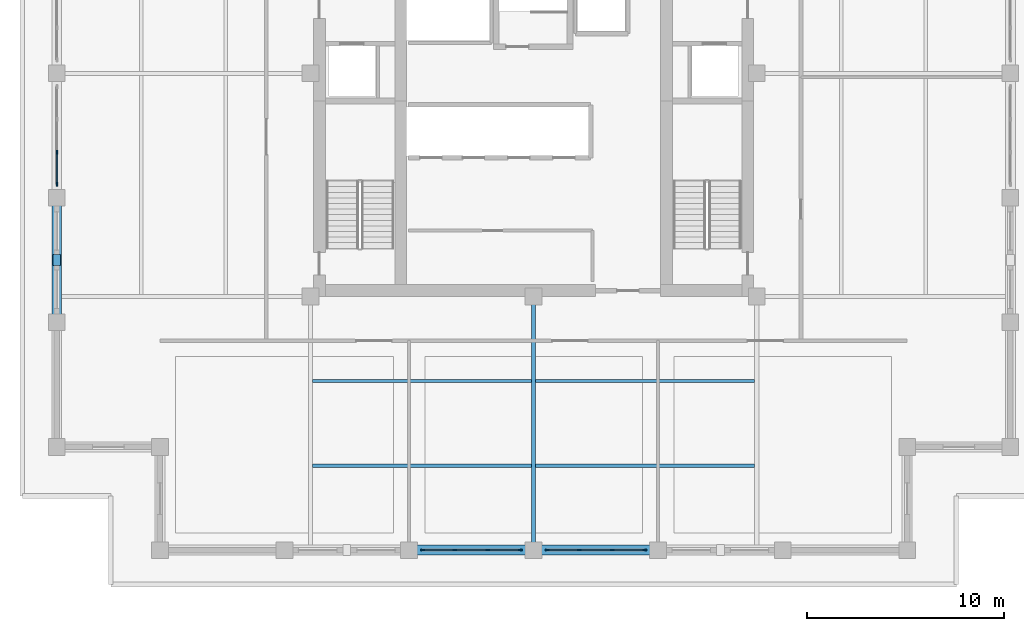
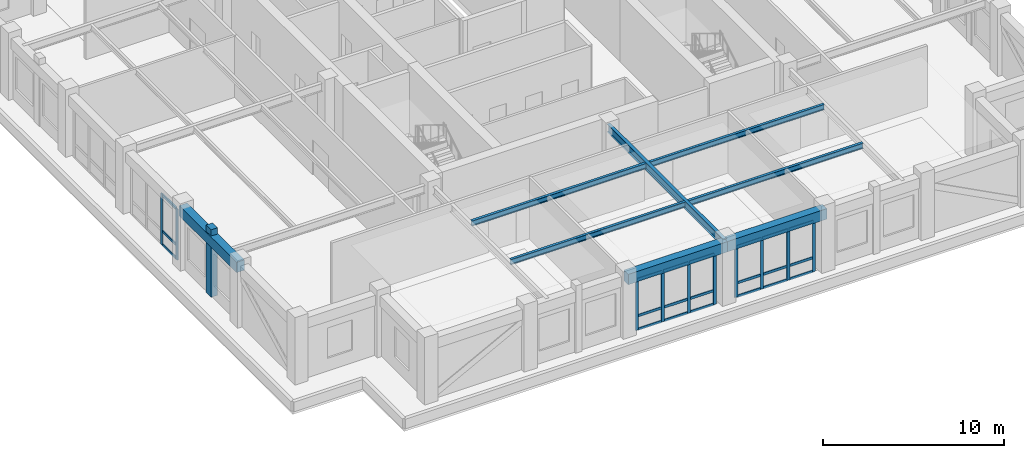
# One storey, part 2 of 14: 32 members, 8 beams, 3 elements without a shape of their own.
"""IFC4 building model written with IfcOpenShell, lengths in metres."""

from ifc_helpers import new_model, si_unit, direction, frame, origin, origin_2d, place, context, subcontext, project, spatial, rectangle, i_section, extrude, material, layer, layer_set, material_profile, profile_set, type_object, element, aggregate, save


model = new_model("IFC4")

# Units and contexts
model_context = context("Model", 3, precision=1e-05, world=origin(), true_north=direction((0.0, 1.0)))
body_context = subcontext(model_context, "Body", "Model", "MODEL_VIEW")
ifc_project = project(units=[si_unit("LENGTHUNIT", "METRE"), si_unit("AREAUNIT", "SQUARE_METRE"), si_unit("VOLUMEUNIT", "CUBIC_METRE"), si_unit("PLANEANGLEUNIT", "RADIAN"), si_unit("MASSUNIT", "GRAM", prefix="KILO")], contexts=[model_context])

# Site, building, storey
site_placement = place(None, origin())
site = spatial("IfcSite", under=ifc_project, at=site_placement, CompositionType="ELEMENT")
building_placement = place(site_placement, origin())
building = spatial("IfcBuilding", under=site, at=building_placement, Name="Nhamokura Convention Tower", CompositionType="ELEMENT")
storey_placement = place(building_placement, frame((0.0, 0.0, 182.35009765625)))
storey = spatial("IfcBuildingStorey", under=building, at=storey_placement, Name="L44", CompositionType="ELEMENT", Elevation=182.35009765625)

# Member
ifc_material_1 = material(Name="Bronze-pigmented precast concrete C45/55", Category="concrete")
ifc_material_profile_1 = material_profile(ifc_material_1, rectangle(XDim=0.39990234375, YDim=0.550048828125, at=origin_2d()))
ifc_profile_set_1 = profile_set([ifc_material_profile_1], Name="Bronze-pigmented precast concrete C45/55")
member_type_1 = type_object("IfcMemberType", Name="BronzePilaster_550", PredefinedType="USERDEFINED", material=ifc_profile_set_1)
member_1_placement = place(storey_placement, frame((7.75, 22.5, 0.0), z_axis=(0.0, 0.0, 1.0), x_axis=(1.0, 0.0, 0.0)))
element("IfcMember", 1, at=member_1_placement, inside=storey, type_object=member_type_1, Name="L44 Engaged Frame Pilaster WEST 1", ObjectType="PILASTER_TRIM", PredefinedType="USERDEFINED", context=body_context, shape_type="SweptSolid", body=[
    extrude(rectangle(XDim=0.39990234375, YDim=0.550048828125, at=origin_2d()), origin(), (0.0, 0.0, 1.0), 4.5498046875),
])

# Curtain wall, members
ifc_material_2 = material(Name="Anodised bronze aluminium AA6063-T6", Category="aluminium")
ifc_layer = layer(ifc_material_2, 0.18994140625)
ifc_layer_set = layer_set([ifc_layer], Name="CWSystem_SkyLobby")
curtain_wall_type = type_object("IfcCurtainWallType", Name="CWSystem_SkyLobby", PredefinedType="NOTDEFINED", material=ifc_layer_set)
curtain_wall_1_placement = place(storey_placement, origin())
curtain_wall_1 = element("IfcCurtainWall", 2, at=curtain_wall_1_placement, inside=storey, type_object=curtain_wall_type, Name="L44 Curtain Wall ENV-L44-CW-S2", PredefinedType="NOTDEFINED")
ifc_material_3 = material(Name="Anodised bronze aluminium AA6063-T6", Category="aluminium")
ifc_material_profile_2 = material_profile(ifc_material_3, rectangle(XDim=0.074951171875, YDim=0.199951171875, at=origin_2d()))
ifc_profile_set_2 = profile_set([ifc_material_profile_2], Name="Anodised bronze aluminium AA6063-T6")
member_type_2 = type_object("IfcMemberType", Name="CWMullion_2", PredefinedType="MULLION", material=ifc_profile_set_2)
member_2_placement = place(storey_placement, frame((31.3125, 7.75, 0.0), z_axis=(0.0, 0.0, 1.0), x_axis=(0.0, -1.0, 0.0)))
member_2 = element("IfcMember", 3, at=member_2_placement, type_object=member_type_2, Name="CW-06 mullion 1", PredefinedType="MULLION", context=body_context, shape_type="SweptSolid", body=[
    extrude(rectangle(XDim=0.074951171875, YDim=0.199951171875, at=origin_2d()), origin(), (0.0, 0.0, 1.0), 3.429931640625),
])
member_3_placement = place(storey_placement, frame((29.672119140625, 7.75, 0.0), z_axis=(0.0, 0.0, 1.0), x_axis=(0.0, -1.0, 0.0)))
member_3 = element("IfcMember", 4, at=member_3_placement, type_object=member_type_2, Name="CW-06 mullion 2", PredefinedType="MULLION", context=body_context, shape_type="SweptSolid", body=[
    extrude(rectangle(XDim=0.074951171875, YDim=0.199951171875, at=origin_2d()), origin(), (0.0, 0.0, 1.0), 3.429931640625),
])
member_4_placement = place(storey_placement, frame((27.994384765625, 7.75, 0.0), z_axis=(0.0, 0.0, 1.0), x_axis=(0.0, -1.0, 0.0)))
member_4 = element("IfcMember", 5, at=member_4_placement, type_object=member_type_2, Name="CW-06 mullion 3", PredefinedType="MULLION", context=body_context, shape_type="SweptSolid", body=[
    extrude(rectangle(XDim=0.074951171875, YDim=0.199951171875, at=origin_2d()), origin(), (0.0, 0.0, 1.0), 3.429931640625),
])
member_5_placement = place(storey_placement, frame((26.354248046875, 7.75, 0.0), z_axis=(0.0, 0.0, 1.0), x_axis=(0.0, -1.0, 0.0)))
member_5 = element("IfcMember", 6, at=member_5_placement, type_object=member_type_2, Name="CW-06 mullion 4", PredefinedType="MULLION", context=body_context, shape_type="SweptSolid", body=[
    extrude(rectangle(XDim=0.074951171875, YDim=0.199951171875, at=origin_2d()), origin(), (0.0, 0.0, 1.0), 3.429931640625),
])

curtain_wall_2_placement = place(storey_placement, origin())
curtain_wall_2 = element("IfcCurtainWall", 7, at=curtain_wall_2_placement, inside=storey, type_object=curtain_wall_type, Name="L44 Curtain Wall ENV-L44-CW-S3", PredefinedType="NOTDEFINED")
member_6_placement = place(storey_placement, frame((37.645751953125, 7.75, 0.0), z_axis=(0.0, 0.0, 1.0), x_axis=(0.0, -1.0, 0.0)))
member_6 = element("IfcMember", 8, at=member_6_placement, type_object=member_type_2, Name="CW-06 mullion 1", PredefinedType="MULLION", context=body_context, shape_type="SweptSolid", body=[
    extrude(rectangle(XDim=0.074951171875, YDim=0.199951171875, at=origin_2d()), origin(), (0.0, 0.0, 1.0), 3.429931640625),
])
member_7_placement = place(storey_placement, frame((36.005615234375, 7.75, 0.0), z_axis=(0.0, 0.0, 1.0), x_axis=(0.0, -1.0, 0.0)))
member_7 = element("IfcMember", 9, at=member_7_placement, type_object=member_type_2, Name="CW-06 mullion 2", PredefinedType="MULLION", context=body_context, shape_type="SweptSolid", body=[
    extrude(rectangle(XDim=0.074951171875, YDim=0.199951171875, at=origin_2d()), origin(), (0.0, 0.0, 1.0), 3.429931640625),
])
member_8_placement = place(storey_placement, frame((34.327880859375, 7.75, 0.0), z_axis=(0.0, 0.0, 1.0), x_axis=(0.0, -1.0, 0.0)))
member_8 = element("IfcMember", 10, at=member_8_placement, type_object=member_type_2, Name="CW-06 mullion 3", PredefinedType="MULLION", context=body_context, shape_type="SweptSolid", body=[
    extrude(rectangle(XDim=0.074951171875, YDim=0.199951171875, at=origin_2d()), origin(), (0.0, 0.0, 1.0), 3.429931640625),
])
member_9_placement = place(storey_placement, frame((32.6875, 7.75, 0.0), z_axis=(0.0, 0.0, 1.0), x_axis=(0.0, -1.0, 0.0)))
member_9 = element("IfcMember", 11, at=member_9_placement, type_object=member_type_2, Name="CW-06 mullion 4", PredefinedType="MULLION", context=body_context, shape_type="SweptSolid", body=[
    extrude(rectangle(XDim=0.074951171875, YDim=0.199951171875, at=origin_2d()), origin(), (0.0, 0.0, 1.0), 3.429931640625),
])

curtain_wall_3_placement = place(storey_placement, origin())
curtain_wall_3 = element("IfcCurtainWall", 12, at=curtain_wall_3_placement, inside=storey, type_object=curtain_wall_type, Name="L44 Curtain Wall ENV-L44-CW-W2", PredefinedType="NOTDEFINED")
member_10_placement = place(storey_placement, frame((7.75, 26.354248046875, 0.0), z_axis=(0.0, 0.0, 1.0), x_axis=(-1.0, 0.0, 0.0)))
member_10 = element("IfcMember", 13, at=member_10_placement, type_object=member_type_2, Name="CW-06 mullion 1", PredefinedType="MULLION", context=body_context, shape_type="SweptSolid", body=[
    extrude(rectangle(XDim=0.074951171875, YDim=0.199951171875, at=origin_2d()), origin(), (0.0, 0.0, 1.0), 3.429931640625),
])
member_11_placement = place(storey_placement, frame((7.75, 27.994384765625, 0.0), z_axis=(0.0, 0.0, 1.0), x_axis=(-1.0, 0.0, 0.0)))
member_11 = element("IfcMember", 14, at=member_11_placement, type_object=member_type_2, Name="CW-06 mullion 2", PredefinedType="MULLION", context=body_context, shape_type="SweptSolid", body=[
    extrude(rectangle(XDim=0.074951171875, YDim=0.199951171875, at=origin_2d()), origin(), (0.0, 0.0, 1.0), 3.429931640625),
])

# Member
ifc_material_4 = material(Name="Anodised bronze aluminium AA6063-T6", Category="aluminium")
ifc_material_profile_3 = material_profile(ifc_material_4, rectangle(XDim=0.074951171875, YDim=0.169921875, at=origin_2d()))
ifc_profile_set_3 = profile_set([ifc_material_profile_3], Name="Anodised bronze aluminium AA6063-T6")
member_type_3 = type_object("IfcMemberType", Name="CWTransom_2", PredefinedType="USERDEFINED", material=ifc_profile_set_3)
member_12_placement = place(storey_placement, frame((31.27490234375, 7.75, 0.037353515625), z_axis=(-1.0, 0.0, 0.0), x_axis=(0.0, -1.0, 0.0)))
member_12 = element("IfcMember", 15, at=member_12_placement, type_object=member_type_3, Name="CW-06 transom 1.1", ObjectType="TRANSOM", PredefinedType="USERDEFINED", context=body_context, shape_type="SweptSolid", body=[
    extrude(rectangle(XDim=0.074951171875, YDim=0.169921875, at=origin_2d()), origin(), (0.0, 0.0, 1.0), 1.565185546875),
])

member_13_placement = place(storey_placement, frame((31.27490234375, 7.75, 0.949951171875), z_axis=(-1.0, 0.0, 0.0), x_axis=(0.0, -1.0, 0.0)))
member_13 = element("IfcMember", 16, at=member_13_placement, type_object=member_type_3, Name="CW-06 transom 1.2", ObjectType="TRANSOM", PredefinedType="USERDEFINED", context=body_context, shape_type="SweptSolid", body=[
    extrude(rectangle(XDim=0.074951171875, YDim=0.169921875, at=origin_2d()), origin(), (0.0, 0.0, 1.0), 1.565185546875),
])

member_14_placement = place(storey_placement, frame((31.27490234375, 7.75, 3.392333984375), z_axis=(-1.0, 0.0, 0.0), x_axis=(0.0, -1.0, 0.0)))
member_14 = element("IfcMember", 17, at=member_14_placement, type_object=member_type_3, Name="CW-06 transom 1.3", ObjectType="TRANSOM", PredefinedType="USERDEFINED", context=body_context, shape_type="SweptSolid", body=[
    extrude(rectangle(XDim=0.074951171875, YDim=0.169921875, at=origin_2d()), origin(), (0.0, 0.0, 1.0), 1.565185546875),
])

member_15_placement = place(storey_placement, frame((29.634765625, 7.75, 0.037353515625), z_axis=(-1.0, 0.0, 0.0), x_axis=(0.0, -1.0, 0.0)))
member_15 = element("IfcMember", 18, at=member_15_placement, type_object=member_type_3, Name="CW-06 transom 2.1", ObjectType="TRANSOM", PredefinedType="USERDEFINED", context=body_context, shape_type="SweptSolid", body=[
    extrude(rectangle(XDim=0.074951171875, YDim=0.169921875, at=origin_2d()), origin(), (0.0, 0.0, 1.0), 1.602783203125),
])

member_16_placement = place(storey_placement, frame((29.634765625, 7.75, 0.949951171875), z_axis=(-1.0, 0.0, 0.0), x_axis=(0.0, -1.0, 0.0)))
member_16 = element("IfcMember", 19, at=member_16_placement, type_object=member_type_3, Name="CW-06 transom 2.2", ObjectType="TRANSOM", PredefinedType="USERDEFINED", context=body_context, shape_type="SweptSolid", body=[
    extrude(rectangle(XDim=0.074951171875, YDim=0.169921875, at=origin_2d()), origin(), (0.0, 0.0, 1.0), 1.602783203125),
])

member_17_placement = place(storey_placement, frame((29.634765625, 7.75, 3.392333984375), z_axis=(-1.0, 0.0, 0.0), x_axis=(0.0, -1.0, 0.0)))
member_17 = element("IfcMember", 20, at=member_17_placement, type_object=member_type_3, Name="CW-06 transom 2.3", ObjectType="TRANSOM", PredefinedType="USERDEFINED", context=body_context, shape_type="SweptSolid", body=[
    extrude(rectangle(XDim=0.074951171875, YDim=0.169921875, at=origin_2d()), origin(), (0.0, 0.0, 1.0), 1.602783203125),
])

member_18_placement = place(storey_placement, frame((27.95703125, 7.75, 0.037353515625), z_axis=(-1.0, 0.0, 0.0), x_axis=(0.0, -1.0, 0.0)))
member_18 = element("IfcMember", 21, at=member_18_placement, type_object=member_type_3, Name="CW-06 transom 3.1", ObjectType="TRANSOM", PredefinedType="USERDEFINED", context=body_context, shape_type="SweptSolid", body=[
    extrude(rectangle(XDim=0.074951171875, YDim=0.169921875, at=origin_2d()), origin(), (0.0, 0.0, 1.0), 1.5654296875),
])

member_19_placement = place(storey_placement, frame((27.95703125, 7.75, 0.949951171875), z_axis=(-1.0, 0.0, 0.0), x_axis=(0.0, -1.0, 0.0)))
member_19 = element("IfcMember", 22, at=member_19_placement, type_object=member_type_3, Name="CW-06 transom 3.2", ObjectType="TRANSOM", PredefinedType="USERDEFINED", context=body_context, shape_type="SweptSolid", body=[
    extrude(rectangle(XDim=0.074951171875, YDim=0.169921875, at=origin_2d()), origin(), (0.0, 0.0, 1.0), 1.5654296875),
])

member_20_placement = place(storey_placement, frame((27.95703125, 7.75, 3.392333984375), z_axis=(-1.0, 0.0, 0.0), x_axis=(0.0, -1.0, 0.0)))
member_20 = element("IfcMember", 23, at=member_20_placement, type_object=member_type_3, Name="CW-06 transom 3.3", ObjectType="TRANSOM", PredefinedType="USERDEFINED", context=body_context, shape_type="SweptSolid", body=[
    extrude(rectangle(XDim=0.074951171875, YDim=0.169921875, at=origin_2d()), origin(), (0.0, 0.0, 1.0), 1.5654296875),
])

aggregate(curtain_wall_1, [member_2, member_3, member_4, member_5, member_12, member_13, member_14, member_15, member_16, member_17, member_18, member_19, member_20])

member_21_placement = place(storey_placement, frame((37.6083984375, 7.75, 0.037353515625), z_axis=(-1.0, 0.0, 0.0), x_axis=(0.0, -1.0, 0.0)))
member_21 = element("IfcMember", 24, at=member_21_placement, type_object=member_type_3, Name="CW-06 transom 1.1", ObjectType="TRANSOM", PredefinedType="USERDEFINED", context=body_context, shape_type="SweptSolid", body=[
    extrude(rectangle(XDim=0.074951171875, YDim=0.169921875, at=origin_2d()), origin(), (0.0, 0.0, 1.0), 1.5654296875),
])

member_22_placement = place(storey_placement, frame((37.6083984375, 7.75, 0.949951171875), z_axis=(-1.0, 0.0, 0.0), x_axis=(0.0, -1.0, 0.0)))
member_22 = element("IfcMember", 25, at=member_22_placement, type_object=member_type_3, Name="CW-06 transom 1.2", ObjectType="TRANSOM", PredefinedType="USERDEFINED", context=body_context, shape_type="SweptSolid", body=[
    extrude(rectangle(XDim=0.074951171875, YDim=0.169921875, at=origin_2d()), origin(), (0.0, 0.0, 1.0), 1.5654296875),
])

member_23_placement = place(storey_placement, frame((37.6083984375, 7.75, 3.392333984375), z_axis=(-1.0, 0.0, 0.0), x_axis=(0.0, -1.0, 0.0)))
member_23 = element("IfcMember", 26, at=member_23_placement, type_object=member_type_3, Name="CW-06 transom 1.3", ObjectType="TRANSOM", PredefinedType="USERDEFINED", context=body_context, shape_type="SweptSolid", body=[
    extrude(rectangle(XDim=0.074951171875, YDim=0.169921875, at=origin_2d()), origin(), (0.0, 0.0, 1.0), 1.5654296875),
])

member_24_placement = place(storey_placement, frame((35.968017578125, 7.75, 0.037353515625), z_axis=(-1.0, 0.0, 0.0), x_axis=(0.0, -1.0, 0.0)))
member_24 = element("IfcMember", 27, at=member_24_placement, type_object=member_type_3, Name="CW-06 transom 2.1", ObjectType="TRANSOM", PredefinedType="USERDEFINED", context=body_context, shape_type="SweptSolid", body=[
    extrude(rectangle(XDim=0.074951171875, YDim=0.169921875, at=origin_2d()), origin(), (0.0, 0.0, 1.0), 1.602783203125),
])

member_25_placement = place(storey_placement, frame((35.968017578125, 7.75, 0.949951171875), z_axis=(-1.0, 0.0, 0.0), x_axis=(0.0, -1.0, 0.0)))
member_25 = element("IfcMember", 28, at=member_25_placement, type_object=member_type_3, Name="CW-06 transom 2.2", ObjectType="TRANSOM", PredefinedType="USERDEFINED", context=body_context, shape_type="SweptSolid", body=[
    extrude(rectangle(XDim=0.074951171875, YDim=0.169921875, at=origin_2d()), origin(), (0.0, 0.0, 1.0), 1.602783203125),
])

member_26_placement = place(storey_placement, frame((35.968017578125, 7.75, 3.392333984375), z_axis=(-1.0, 0.0, 0.0), x_axis=(0.0, -1.0, 0.0)))
member_26 = element("IfcMember", 29, at=member_26_placement, type_object=member_type_3, Name="CW-06 transom 2.3", ObjectType="TRANSOM", PredefinedType="USERDEFINED", context=body_context, shape_type="SweptSolid", body=[
    extrude(rectangle(XDim=0.074951171875, YDim=0.169921875, at=origin_2d()), origin(), (0.0, 0.0, 1.0), 1.602783203125),
])

member_27_placement = place(storey_placement, frame((34.290283203125, 7.75, 0.037353515625), z_axis=(-1.0, 0.0, 0.0), x_axis=(0.0, -1.0, 0.0)))
member_27 = element("IfcMember", 30, at=member_27_placement, type_object=member_type_3, Name="CW-06 transom 3.1", ObjectType="TRANSOM", PredefinedType="USERDEFINED", context=body_context, shape_type="SweptSolid", body=[
    extrude(rectangle(XDim=0.074951171875, YDim=0.169921875, at=origin_2d()), origin(), (0.0, 0.0, 1.0), 1.565185546875),
])

member_28_placement = place(storey_placement, frame((34.290283203125, 7.75, 0.949951171875), z_axis=(-1.0, 0.0, 0.0), x_axis=(0.0, -1.0, 0.0)))
member_28 = element("IfcMember", 31, at=member_28_placement, type_object=member_type_3, Name="CW-06 transom 3.2", ObjectType="TRANSOM", PredefinedType="USERDEFINED", context=body_context, shape_type="SweptSolid", body=[
    extrude(rectangle(XDim=0.074951171875, YDim=0.169921875, at=origin_2d()), origin(), (0.0, 0.0, 1.0), 1.565185546875),
])

member_29_placement = place(storey_placement, frame((34.290283203125, 7.75, 3.392333984375), z_axis=(-1.0, 0.0, 0.0), x_axis=(0.0, -1.0, 0.0)))
member_29 = element("IfcMember", 32, at=member_29_placement, type_object=member_type_3, Name="CW-06 transom 3.3", ObjectType="TRANSOM", PredefinedType="USERDEFINED", context=body_context, shape_type="SweptSolid", body=[
    extrude(rectangle(XDim=0.074951171875, YDim=0.169921875, at=origin_2d()), origin(), (0.0, 0.0, 1.0), 1.565185546875),
])

aggregate(curtain_wall_2, [member_6, member_7, member_8, member_9, member_21, member_22, member_23, member_24, member_25, member_26, member_27, member_28, member_29])

member_30_placement = place(storey_placement, frame((7.75, 26.3916015625, 0.037353515625), z_axis=(0.0, 1.0, 0.0), x_axis=(-1.0, 0.0, 0.0)))
member_30 = element("IfcMember", 33, at=member_30_placement, type_object=member_type_3, Name="CW-06 transom 1.1", ObjectType="TRANSOM", PredefinedType="USERDEFINED", context=body_context, shape_type="SweptSolid", body=[
    extrude(rectangle(XDim=0.074951171875, YDim=0.169921875, at=origin_2d()), origin(), (0.0, 0.0, 1.0), 1.5654296875),
])

member_31_placement = place(storey_placement, frame((7.75, 26.3916015625, 0.949951171875), z_axis=(0.0, 1.0, 0.0), x_axis=(-1.0, 0.0, 0.0)))
member_31 = element("IfcMember", 34, at=member_31_placement, type_object=member_type_3, Name="CW-06 transom 1.2", ObjectType="TRANSOM", PredefinedType="USERDEFINED", context=body_context, shape_type="SweptSolid", body=[
    extrude(rectangle(XDim=0.074951171875, YDim=0.169921875, at=origin_2d()), origin(), (0.0, 0.0, 1.0), 1.5654296875),
])

member_32_placement = place(storey_placement, frame((7.75, 26.3916015625, 3.392333984375), z_axis=(0.0, 1.0, 0.0), x_axis=(-1.0, 0.0, 0.0)))
member_32 = element("IfcMember", 35, at=member_32_placement, type_object=member_type_3, Name="CW-06 transom 1.3", ObjectType="TRANSOM", PredefinedType="USERDEFINED", context=body_context, shape_type="SweptSolid", body=[
    extrude(rectangle(XDim=0.074951171875, YDim=0.169921875, at=origin_2d()), origin(), (0.0, 0.0, 1.0), 1.5654296875),
])

aggregate(curtain_wall_3, [member_10, member_11, member_30, member_31, member_32])

# Beams
ifc_material_5 = material(Name="Steel ASTM A992 Gr 50", Category="steel")
ifc_material_profile_4 = material_profile(ifc_material_5, i_section(OverallWidth=0.172119140625, OverallDepth=0.35791015625, WebThickness=0.0078125, FlangeThickness=0.01318359375, at=origin_2d()))
ifc_profile_set_4 = profile_set([ifc_material_profile_4], Name="Steel ASTM A992 Gr 50")
beam_type_1 = type_object("IfcBeamType", Name="FloorJoist_W360X57", PredefinedType="JOIST", material=ifc_profile_set_4)
for number, where, z_axis, x_axis, name in (
    (36, (20.75341796875, 12.050048828125, 3.950927734375), (1.0, 0.0, 0.0), (0.0, 1.0, 0.0), "L44 Composite Floor Joist S1A"),
    (37, (32.103515625, 12.050048828125, 3.950927734375), (1.0, 0.0, 0.0), (0.0, 1.0, 0.0), "L44 Composite Floor Joist S1B"),
    (38, (20.75341796875, 16.35009765625, 3.950927734375), (1.0, 0.0, 0.0), (0.0, 1.0, 0.0), "L44 Composite Floor Joist S2A"),
    (39, (32.103515625, 16.35009765625, 3.950927734375), (1.0, 0.0, 0.0), (0.0, 1.0, 0.0), "L44 Composite Floor Joist S2B"),
):
    element("IfcBeam", number, at=place(storey_placement, frame(where, z_axis=z_axis, x_axis=x_axis)), inside=storey, type_object=beam_type_1, Name=name, PredefinedType="JOIST", context=body_context, shape_type="SweptSolid", body=[
        extrude(i_section(OverallWidth=0.172119140625, OverallDepth=0.35791015625, WebThickness=0.0078125, FlangeThickness=0.01318359375, at=origin_2d()), origin(), (0.0, 0.0, 1.0), 11.14306640625),
    ])
ifc_material_6 = material(Name="Steel ASTM A992 Gr 50", Category="steel")
ifc_material_profile_5 = material_profile(ifc_material_6, i_section(OverallWidth=0.2109375, OverallDepth=0.5390625, WebThickness=0.01171875, FlangeThickness=0.018798828125, at=origin_2d()))
ifc_profile_set_5 = profile_set([ifc_material_profile_5], Name="Steel ASTM A992 Gr 50")
beam_type_2 = type_object("IfcBeamType", Name="PrimaryGirder_W530X109", PredefinedType="BEAM", material=ifc_profile_set_5)
beam_1_placement = place(storey_placement, frame((32.0, 7.75, 3.8603515625), z_axis=(0.0, 1.0, 0.0), x_axis=(-1.0, 0.0, 0.0)))
element("IfcBeam", 40, at=beam_1_placement, inside=storey, type_object=beam_type_2, Name="L44 Primary Floor Girder PG-S2", PredefinedType="BEAM", context=body_context, shape_type="SweptSolid", body=[
    extrude(i_section(OverallWidth=0.2109375, OverallDepth=0.5390625, WebThickness=0.01171875, FlangeThickness=0.018798828125, at=origin_2d()), origin(), (0.0, 0.0, 1.0), 12.89990234375),
])
ifc_material_7 = material(Name="Concrete C50/60", Category="concrete")
ifc_material_profile_6 = material_profile(ifc_material_7, rectangle(XDim=0.5, YDim=0.699951171875, at=origin_2d()))
ifc_profile_set_6 = profile_set([ifc_material_profile_6], Name="Concrete C50/60")
beam_type_3 = type_object("IfcBeamType", Name="TubeSpandrel_700", PredefinedType="SPANDREL", material=ifc_profile_set_6)
for number, where, z_axis, x_axis, name in (
    (41, (25.666748046875, 7.75, 3.77978515625), (1.0, 0.0, 0.0), (0.0, 1.0, 0.0), "L44 Perimeter Spandrel SOUTH 3"),
    (42, (32.0, 7.75, 3.77978515625), (1.0, 0.0, 0.0), (0.0, 1.0, 0.0), "L44 Perimeter Spandrel SOUTH 4"),
):
    element("IfcBeam", number, at=place(storey_placement, frame(where, z_axis=z_axis, x_axis=x_axis)), inside=storey, type_object=beam_type_3, Name=name, PredefinedType="SPANDREL", context=body_context, shape_type="SweptSolid", body=[
        extrude(rectangle(XDim=0.5, YDim=0.699951171875, at=origin_2d()), origin(), (0.0, 0.0, 1.0), 6.333251953125),
    ])
beam_2_placement = place(storey_placement, frame((7.75, 19.333251953125, 3.77978515625), z_axis=(0.0, 1.0, 0.0), x_axis=(-1.0, 0.0, 0.0)))
element("IfcBeam", 43, at=beam_2_placement, inside=storey, type_object=beam_type_3, Name="L44 Perimeter Spandrel WEST 2", PredefinedType="SPANDREL", context=body_context, shape_type="SweptSolid", body=[
    extrude(rectangle(XDim=0.5, YDim=0.699951171875, at=origin_2d()), origin(), (0.0, 0.0, 1.0), 6.33349609375),
])

save(model, "model.ifc")
